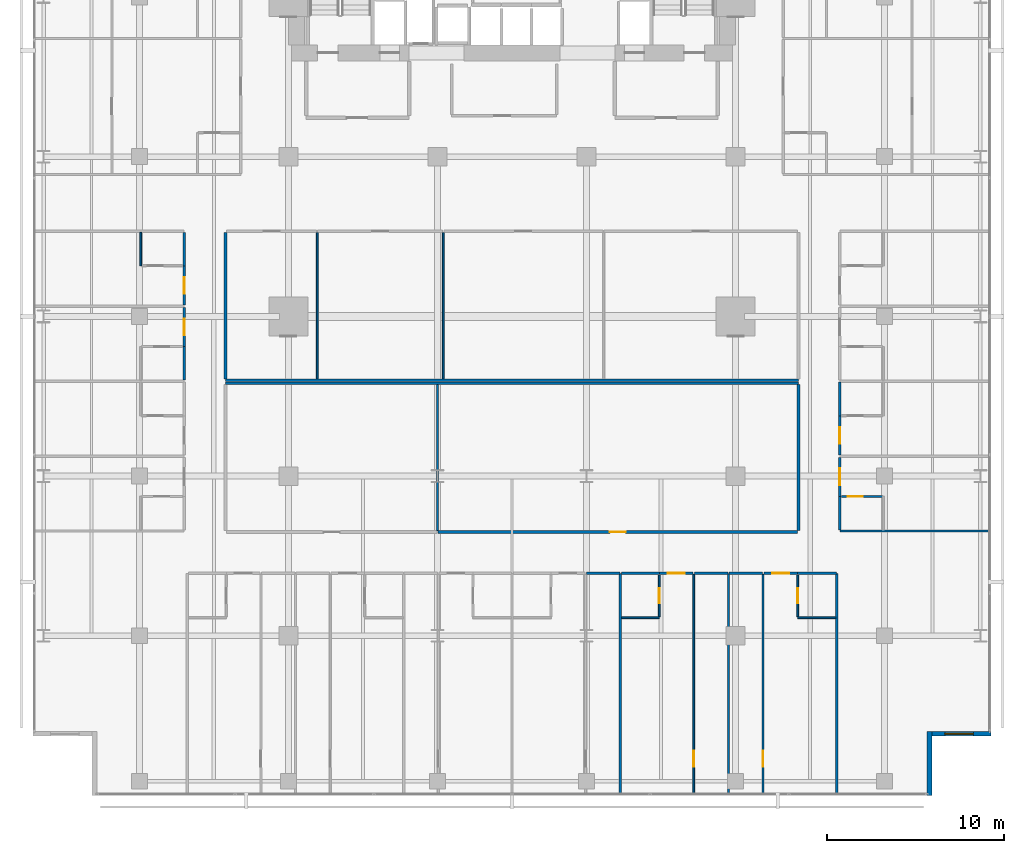
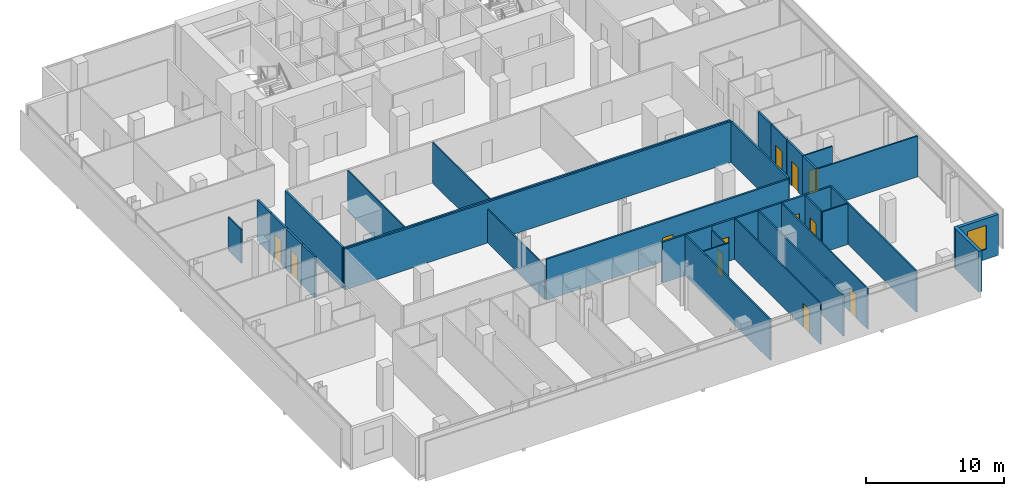
# One storey, part 34 of 40: 37 walls, 12 doors, 1 window, 13 openings.
"""IFC4 building model written with IfcOpenShell, lengths in metres."""

from ifc_helpers import new_model, si_unit, direction, frame, frame_2d, origin, place, context, subcontext, project, spatial, rectangle, extrude, material, layer, layer_set, type_object, element, fill, save


model = new_model("IFC4")

# Units and contexts
model_context = context("Model", 3, precision=1e-05, world=origin(), true_north=direction((0.0, 1.0)))
body_context = subcontext(model_context, "Body", "Model", "MODEL_VIEW")
ifc_project = project(units=[si_unit("LENGTHUNIT", "METRE"), si_unit("AREAUNIT", "SQUARE_METRE"), si_unit("VOLUMEUNIT", "CUBIC_METRE"), si_unit("PLANEANGLEUNIT", "RADIAN"), si_unit("MASSUNIT", "GRAM", prefix="KILO")], contexts=[model_context])

# Site, building, storey
site_placement = place(None, origin())
site = spatial("IfcSite", under=ifc_project, at=site_placement, CompositionType="ELEMENT")
building_placement = place(site_placement, origin())
building = spatial("IfcBuilding", under=site, at=building_placement, Name="Maruvema Waterfront Hotel and Observation Tower", CompositionType="ELEMENT")
storey_placement = place(building_placement, frame((0.0, 0.0, 30.800048828125)))
storey = spatial("IfcBuildingStorey", under=building, at=storey_placement, Name="L06", CompositionType="ELEMENT", Elevation=30.800048828125)

# Walls
ifc_material_1 = material(Name="Twin-stud acoustic gypsum drywall", Category="gypsum")
ifc_layer_1 = layer(ifc_material_1, 0.14990234375, Name="Acoustic Corridor and Suite Demising Wall 150 mm")
ifc_layer_set_1 = layer_set([ifc_layer_1], Name="Twin-stud acoustic gypsum drywall")
wall_type_1 = type_object("IfcWallType", Name="Acoustic Corridor and Suite Demising Wall 150 mm", PredefinedType="PARTITIONING", material=ifc_layer_set_1)
wall_1_placement = place(storey_placement, frame((21.64990234375, 23.39990234375, 0.0), z_axis=(0.0, 0.0, 1.0), x_axis=(1.0, 0.0, 0.0)))
element("IfcWall", 1, at=wall_1_placement, inside=storey, type_object=wall_type_1, Name="L06 L06-INTN Back Wall 016", PredefinedType="PARTITIONING", context=body_context, shape_type="SweptSolid", body=[
    extrude(rectangle(XDim=32.300048828125, YDim=0.14990234375, at=frame_2d((16.14990234375, 0.0))), origin(), (0.0, 0.0, 1.0), 3.60986328125),
])
wall_2_placement = place(storey_placement, frame((21.64990234375, 23.47998046875, 0.0), z_axis=(0.0, 0.0, 1.0), x_axis=(0.0, 1.0, 0.0)))
element("IfcWall", 2, at=wall_2_placement, inside=storey, type_object=wall_type_1, Name="L06 L06-INTN West Wall 017", PredefinedType="PARTITIONING", context=body_context, shape_type="SweptSolid", body=[
    extrude(rectangle(XDim=8.239990234375, YDim=0.14990234375, at=frame_2d((4.1201171875, 0.0))), origin(), (0.0, 0.0, 1.0), 3.60986328125),
])
wall_3_placement = place(storey_placement, frame((21.64990234375, 23.239990234375, 0.0), z_axis=(0.0, 0.0, 1.0), x_axis=(1.0, 0.0, 0.0)))
element("IfcWall", 3, at=wall_3_placement, inside=storey, type_object=wall_type_1, Name="L06 L06-INTS Back Wall 026", PredefinedType="PARTITIONING", context=body_context, shape_type="SweptSolid", body=[
    extrude(rectangle(XDim=32.300048828125, YDim=0.14990234375, at=frame_2d((16.14990234375, 0.0))), origin(), (0.0, 0.0, 1.0), 3.60986328125),
])
wall_4_placement = place(storey_placement, frame((53.949951171875, 14.929931640625, 0.0), z_axis=(0.0, 0.0, 1.0), x_axis=(0.0, 1.0, 0.0)))
element("IfcWall", 4, at=wall_4_placement, inside=storey, type_object=wall_type_1, Name="L06 L06-INTS East Wall 028", PredefinedType="PARTITIONING", context=body_context, shape_type="SweptSolid", body=[
    extrude(rectangle(XDim=8.22998046875, YDim=0.14990234375, at=frame_2d((4.114990234375, 0.0))), origin(), (0.0, 0.0, 1.0), 3.60986328125),
])

# Wall, opening, door
wall_5_placement = place(storey_placement, frame((33.631103515625, 14.85009765625, 0.0), z_axis=(0.0, 0.0, 1.0), x_axis=(1.0, 0.0, 0.0)))
wall_5 = element("IfcWall", 5, at=wall_5_placement, inside=storey, type_object=wall_type_1, Name="L06 L06-INTS Front 2 031", PredefinedType="PARTITIONING", context=body_context, shape_type="SweptSolid", body=[
    extrude(rectangle(XDim=20.2587890625, YDim=0.14990234375, at=frame_2d((10.12939453125, 0.0))), origin(), (0.0, 0.0, 1.0), 3.60986328125),
])
opening_1_placement = place(wall_5_placement, frame((9.679443359375, 0.0, 0.0)))
opening_1 = element("IfcOpeningElement", 6, at=opening_1_placement, cuts=wall_5, Name="Opening DR-090", PredefinedType="OPENING", context=body_context, shape_type="SweptSolid", body=[
    extrude(rectangle(XDim=0.89990234375, YDim=2.10009765625, at=frame_2d((0.449951171875, 1.050048828125))), frame((0.0, 0.0849609375, 0.0), z_axis=(0.0, -1.0, 0.0), x_axis=(1.0, 0.0, 0.0)), (0.0, 0.0, 1.0), 0.169921875),
])
ifc_material_2 = material(Name="Solid-core lacquered timber leaf", Category="wood")
door_type_1 = type_object("IfcDoorType", Name="Accessible Toilet and Room Door 900x2100 mm", OperationType="NOTDEFINED", PredefinedType="DOOR", material=ifc_material_2)
door_1_placement = place(opening_1_placement, frame((0.89990234375, 0.0, 0.0), z_axis=(0.0, 0.0, 1.0), x_axis=(-1.0, 0.0, 0.0)))
door_1 = element("IfcDoor", 7, at=door_1_placement, inside=storey, type_object=door_type_1, Name="L06 Guest Lounge East Door", OperationType="SINGLE_SWING_RIGHT", OverallHeight=2.10009765625, OverallWidth=0.89990234375, PredefinedType="DOOR", context=body_context, shape_type="SweptSolid", body=[
    extrude(rectangle(XDim=0.89990234375, YDim=2.10009765625, at=frame_2d((0.449951171875, 1.050048828125))), frame((0.0, 0.02490234375, 0.0), z_axis=(0.0, -1.0, 0.0), x_axis=(1.0, 0.0, 0.0)), (0.0, 0.0, 1.0), 0.050048828125),
])
fill(opening_1, door_1)

# Walls
wall_6_placement = place(storey_placement, frame((41.989990234375, 12.52001953125, 0.0), z_axis=(0.0, 0.0, 1.0), x_axis=(1.0, 0.0, 0.0)))
element("IfcWall", 8, at=wall_6_placement, inside=storey, type_object=wall_type_1, Name="L06 Bedroom L06-S4 Back Wall 059", PredefinedType="PARTITIONING", context=body_context, shape_type="SweptSolid", body=[
    extrude(rectangle(XDim=1.889892578125, YDim=0.14990234375, at=frame_2d((0.94482421875, 0.0))), origin(), (0.0, 0.0, 1.0), 3.60986328125),
])
wall_7_placement = place(storey_placement, frame((43.97998046875, 12.52001953125, 0.0), z_axis=(0.0, 0.0, 1.0), x_axis=(1.0, 0.0, 0.0)))
element("IfcWall", 9, at=wall_7_placement, inside=storey, type_object=wall_type_1, Name="L06 Bath L06-S5 Back Wall 062", PredefinedType="PARTITIONING", context=body_context, shape_type="SweptSolid", body=[
    extrude(rectangle(XDim=2.1201171875, YDim=0.14990234375, at=frame_2d((1.06005859375, 0.0))), origin(), (0.0, 0.0, 1.0), 3.60986328125),
])

# Wall, opening, door
wall_8_placement = place(storey_placement, frame((46.10009765625, 12.52001953125, 0.0), z_axis=(0.0, 0.0, 1.0), x_axis=(1.0, 0.0, 0.0)))
wall_8 = element("IfcWall", 10, at=wall_8_placement, inside=storey, type_object=wall_type_1, Name="L06 Unit L06-S5 Corridor Wall 065", PredefinedType="PARTITIONING", context=body_context, shape_type="SweptSolid", body=[
    extrude(rectangle(XDim=1.909912109375, YDim=0.14990234375, at=frame_2d((0.955078125, 0.0))), origin(), (0.0, 0.0, 1.0), 3.60986328125),
])
opening_2_placement = place(wall_8_placement, frame((0.47998046875, 0.0, 0.0)))
opening_2 = element("IfcOpeningElement", 11, at=opening_2_placement, cuts=wall_8, Name="Opening DR-095", PredefinedType="OPENING", context=body_context, shape_type="SweptSolid", body=[
    extrude(rectangle(XDim=0.949951171875, YDim=2.14990234375, at=frame_2d((0.47509765625, 1.074951171875))), frame((0.0, 0.0849609375, 0.0), z_axis=(0.0, -1.0, 0.0), x_axis=(1.0, 0.0, 0.0)), (0.0, 0.0, 1.0), 0.169921875),
])
ifc_material_3 = material(Name="Acoustic solid-core hardwood timber leaf", Category="wood")
door_type_2 = type_object("IfcDoorType", Name="Guestroom Entrance Fire Door 950x2150 mm", OperationType="NOTDEFINED", PredefinedType="DOOR", material=ifc_material_3)
door_2_placement = place(opening_2_placement, frame((0.949951171875, 0.0, 0.0), z_axis=(0.0, 0.0, 1.0), x_axis=(-1.0, 0.0, 0.0)))
door_2 = element("IfcDoor", 12, at=door_2_placement, inside=storey, type_object=door_type_2, Name="L06 Unit L06-S5 Entrance Door", OperationType="SINGLE_SWING_RIGHT", OverallHeight=2.14990234375, OverallWidth=0.949951171875, PredefinedType="DOOR", context=body_context, shape_type="SweptSolid", body=[
    extrude(rectangle(XDim=0.949951171875, YDim=2.14990234375, at=frame_2d((0.47509765625, 1.074951171875))), frame((0.0, 0.02490234375, 0.0), z_axis=(0.0, -1.0, 0.0), x_axis=(1.0, 0.0, 0.0)), (0.0, 0.0, 1.0), 0.050048828125),
])
fill(opening_2, door_2)

# Walls
wall_9_placement = place(storey_placement, frame((48.090087890625, 12.52001953125, 0.0), z_axis=(0.0, 0.0, 1.0), x_axis=(1.0, 0.0, 0.0)))
element("IfcWall", 13, at=wall_9_placement, inside=storey, type_object=wall_type_1, Name="L06 Bedroom L06-S5 Back Wall 066", PredefinedType="PARTITIONING", context=body_context, shape_type="SweptSolid", body=[
    extrude(rectangle(XDim=1.889892578125, YDim=0.14990234375, at=frame_2d((0.94482421875, 0.0))), origin(), (0.0, 0.0, 1.0), 3.60986328125),
])
wall_10_placement = place(storey_placement, frame((53.89990234375, 12.52001953125, 0.0), z_axis=(0.0, 0.0, 1.0), x_axis=(1.0, 0.0, 0.0)))
element("IfcWall", 14, at=wall_10_placement, inside=storey, type_object=wall_type_1, Name="L06 Bath L06-S6 Back Wall 069", PredefinedType="PARTITIONING", context=body_context, shape_type="SweptSolid", body=[
    extrude(rectangle(XDim=2.18017578125, YDim=0.14990234375, at=frame_2d((1.090087890625, 0.0))), origin(), (0.0, 0.0, 1.0), 3.60986328125),
])
wall_11_placement = place(storey_placement, frame((50.02001953125, 12.52001953125, 0.0), z_axis=(0.0, 0.0, 1.0), x_axis=(1.0, 0.0, 0.0)))
element("IfcWall", 15, at=wall_11_placement, inside=storey, type_object=wall_type_1, Name="L06 Bedroom L06-S6 Back Wall 072", PredefinedType="PARTITIONING", context=body_context, shape_type="SweptSolid", body=[
    extrude(rectangle(XDim=1.889892578125, YDim=0.14990234375, at=frame_2d((0.94482421875, 0.0))), origin(), (0.0, 0.0, 1.0), 3.60986328125),
])

# Wall, opening, door
wall_12_placement = place(storey_placement, frame((51.989990234375, 12.52001953125, 0.0), z_axis=(0.0, 0.0, 1.0), x_axis=(1.0, 0.0, 0.0)))
wall_12 = element("IfcWall", 16, at=wall_12_placement, inside=storey, type_object=wall_type_1, Name="L06 Unit L06-S6 Corridor Wall 073", PredefinedType="PARTITIONING", context=body_context, shape_type="SweptSolid", body=[
    extrude(rectangle(XDim=1.909912109375, YDim=0.14990234375, at=frame_2d((0.955078125, 0.0))), origin(), (0.0, 0.0, 1.0), 3.60986328125),
])
opening_3_placement = place(wall_12_placement, frame((0.47998046875, 0.0, 0.0)))
opening_3 = element("IfcOpeningElement", 17, at=opening_3_placement, cuts=wall_12, Name="Opening DR-095", PredefinedType="OPENING", context=body_context, shape_type="SweptSolid", body=[
    extrude(rectangle(XDim=0.949951171875, YDim=2.14990234375, at=frame_2d((0.47509765625, 1.074951171875))), frame((0.0, 0.0849609375, 0.0), z_axis=(0.0, -1.0, 0.0), x_axis=(1.0, 0.0, 0.0)), (0.0, 0.0, 1.0), 0.169921875),
])
door_3_placement = place(opening_3_placement, frame((0.949951171875, 0.0, 0.0), z_axis=(0.0, 0.0, 1.0), x_axis=(-1.0, 0.0, 0.0)))
door_3 = element("IfcDoor", 18, at=door_3_placement, inside=storey, type_object=door_type_2, Name="L06 Unit L06-S6 Entrance Door", OperationType="SINGLE_SWING_LEFT", OverallHeight=2.14990234375, OverallWidth=0.949951171875, PredefinedType="DOOR", context=body_context, shape_type="SweptSolid", body=[
    extrude(rectangle(XDim=0.949951171875, YDim=2.14990234375, at=frame_2d((0.47509765625, 1.074951171875))), frame((0.0, 0.02490234375, 0.0), z_axis=(0.0, -1.0, 0.0), x_axis=(1.0, 0.0, 0.0)), (0.0, 0.0, 1.0), 0.050048828125),
])
fill(opening_3, door_3)

# Wall
wall_13_placement = place(storey_placement, frame((56.280029296875, 14.9599609375, 0.0), z_axis=(0.0, 0.0, 1.0), x_axis=(0.0, 1.0, 0.0)))
element("IfcWall", 19, at=wall_13_placement, inside=storey, type_object=wall_type_1, Name="L06 Bath L06-E1 Wall 083", PredefinedType="PARTITIONING", context=body_context, shape_type="SweptSolid", body=[
    extrude(rectangle(XDim=1.89013671875, YDim=0.14990234375, at=frame_2d((0.945068359375, 0.0))), origin(), (0.0, 0.0, 1.0), 3.60986328125),
])

# Wall, opening, door
wall_14_placement = place(storey_placement, frame((56.280029296875, 16.85009765625, 0.0), z_axis=(0.0, 0.0, 1.0), x_axis=(0.0, 1.0, 0.0)))
wall_14 = element("IfcWall", 20, at=wall_14_placement, inside=storey, type_object=wall_type_1, Name="L06 Room L06-E1 Corridor Wall 084", PredefinedType="PARTITIONING", context=body_context, shape_type="SweptSolid", body=[
    extrude(rectangle(XDim=2.2099609375, YDim=0.14990234375, at=frame_2d((1.10498046875, 0.0))), origin(), (0.0, 0.0, 1.0), 3.60986328125),
])
opening_4_placement = place(wall_14_placement, frame((0.6298828125, 0.0, 0.0)))
opening_4 = element("IfcOpeningElement", 21, at=opening_4_placement, cuts=wall_14, Name="Opening DR-095", PredefinedType="OPENING", context=body_context, shape_type="SweptSolid", body=[
    extrude(rectangle(XDim=0.949951171875, YDim=2.14990234375, at=frame_2d((0.47509765625, 1.074951171875))), frame((0.0, 0.0849609375, 0.0), z_axis=(0.0, -1.0, 0.0), x_axis=(1.0, 0.0, 0.0)), (0.0, 0.0, 1.0), 0.169921875),
])
door_4_placement = place(opening_4_placement, frame((0.949951171875, 0.0, 0.0), z_axis=(0.0, 0.0, 1.0), x_axis=(-1.0, 0.0, 0.0)))
door_4 = element("IfcDoor", 22, at=door_4_placement, inside=storey, type_object=door_type_2, Name="L06 Room L06-E1 Entrance Door", OperationType="SINGLE_SWING_RIGHT", OverallHeight=2.14990234375, OverallWidth=0.949951171875, PredefinedType="DOOR", context=body_context, shape_type="SweptSolid", body=[
    extrude(rectangle(XDim=0.949951171875, YDim=2.14990234375, at=frame_2d((0.47509765625, 1.074951171875))), frame((0.0, 0.02490234375, 0.0), z_axis=(0.0, -1.0, 0.0), x_axis=(1.0, 0.0, 0.0)), (0.0, 0.0, 1.0), 0.050048828125),
])
fill(opening_4, door_4)

wall_15_placement = place(storey_placement, frame((56.280029296875, 19.179931640625, 0.0), z_axis=(0.0, 0.0, 1.0), x_axis=(0.0, 1.0, 0.0)))
wall_15 = element("IfcWall", 23, at=wall_15_placement, inside=storey, type_object=wall_type_1, Name="L06 Room L06-E2 Corridor Wall 093", PredefinedType="PARTITIONING", context=body_context, shape_type="SweptSolid", body=[
    extrude(rectangle(XDim=2.219970703125, YDim=0.14990234375, at=frame_2d((1.10986328125, 0.0))), origin(), (0.0, 0.0, 1.0), 3.60986328125),
])
opening_5_placement = place(wall_15_placement, frame((0.635009765625, 0.0, 0.0)))
opening_5 = element("IfcOpeningElement", 24, at=opening_5_placement, cuts=wall_15, Name="Opening DR-095", PredefinedType="OPENING", context=body_context, shape_type="SweptSolid", body=[
    extrude(rectangle(XDim=0.949951171875, YDim=2.14990234375, at=frame_2d((0.47509765625, 1.074951171875))), frame((0.0, 0.0849609375, 0.0), z_axis=(0.0, -1.0, 0.0), x_axis=(1.0, 0.0, 0.0)), (0.0, 0.0, 1.0), 0.169921875),
])
door_5_placement = place(opening_5_placement, frame((0.949951171875, 0.0, 0.0), z_axis=(0.0, 0.0, 1.0), x_axis=(-1.0, 0.0, 0.0)))
door_5 = element("IfcDoor", 25, at=door_5_placement, inside=storey, type_object=door_type_2, Name="L06 Room L06-E2 Entrance Door", OperationType="SINGLE_SWING_RIGHT", OverallHeight=2.14990234375, OverallWidth=0.949951171875, PredefinedType="DOOR", context=body_context, shape_type="SweptSolid", body=[
    extrude(rectangle(XDim=0.949951171875, YDim=2.14990234375, at=frame_2d((0.47509765625, 1.074951171875))), frame((0.0, 0.02490234375, 0.0), z_axis=(0.0, -1.0, 0.0), x_axis=(1.0, 0.0, 0.0)), (0.0, 0.0, 1.0), 0.050048828125),
])
fill(opening_5, door_5)

# Walls
for number, where, z_axis, x_axis, name in (
    (26, (56.280029296875, 21.39990234375, 0.0), (0.0, 0.0, 1.0), (0.0, 1.0, 0.0), "L06 Bath L06-E2 Wall 094"),
    (27, (19.320068359375, 23.409912109375, 0.0), (0.0, 0.0, 1.0), (0.0, 1.0, 0.0), "L06 Bath L06-W3 Wall 099"),
):
    element("IfcWall", number, at=place(storey_placement, frame(where, z_axis=z_axis, x_axis=x_axis)), inside=storey, type_object=wall_type_1, Name=name, PredefinedType="PARTITIONING", context=body_context, shape_type="SweptSolid", body=[
        extrude(rectangle(XDim=1.89013671875, YDim=0.14990234375, at=frame_2d((0.945068359375, 0.0))), origin(), (0.0, 0.0, 1.0), 3.60986328125),
    ])

# Wall, opening, door
wall_16_placement = place(storey_placement, frame((19.320068359375, 25.300048828125, 0.0), z_axis=(0.0, 0.0, 1.0), x_axis=(0.0, 1.0, 0.0)))
wall_16 = element("IfcWall", 28, at=wall_16_placement, inside=storey, type_object=wall_type_1, Name="L06 Room L06-W3 Corridor Wall 100", PredefinedType="PARTITIONING", context=body_context, shape_type="SweptSolid", body=[
    extrude(rectangle(XDim=2.2099609375, YDim=0.14990234375, at=frame_2d((1.10498046875, 0.0))), origin(), (0.0, 0.0, 1.0), 3.60986328125),
])
opening_6_placement = place(wall_16_placement, frame((0.6298828125, 0.0, 0.0)))
opening_6 = element("IfcOpeningElement", 29, at=opening_6_placement, cuts=wall_16, Name="Opening DR-095", PredefinedType="OPENING", context=body_context, shape_type="SweptSolid", body=[
    extrude(rectangle(XDim=0.949951171875, YDim=2.14990234375, at=frame_2d((0.47509765625, 1.074951171875))), frame((0.0, 0.0849609375, 0.0), z_axis=(0.0, -1.0, 0.0), x_axis=(1.0, 0.0, 0.0)), (0.0, 0.0, 1.0), 0.169921875),
])
door_6_placement = place(opening_6_placement, origin())
door_6 = element("IfcDoor", 30, at=door_6_placement, inside=storey, type_object=door_type_2, Name="L06 Room L06-W3 Entrance Door", OperationType="SINGLE_SWING_RIGHT", OverallHeight=2.14990234375, OverallWidth=0.949951171875, PredefinedType="DOOR", context=body_context, shape_type="SweptSolid", body=[
    extrude(rectangle(XDim=0.949951171875, YDim=2.14990234375, at=frame_2d((0.47509765625, 1.074951171875))), frame((0.0, 0.02490234375, 0.0), z_axis=(0.0, -1.0, 0.0), x_axis=(1.0, 0.0, 0.0)), (0.0, 0.0, 1.0), 0.050048828125),
])
fill(opening_6, door_6)

wall_17_placement = place(storey_placement, frame((19.320068359375, 27.6298828125, 0.0), z_axis=(0.0, 0.0, 1.0), x_axis=(0.0, 1.0, 0.0)))
wall_17 = element("IfcWall", 31, at=wall_17_placement, inside=storey, type_object=wall_type_1, Name="L06 Room L06-W4 Corridor Wall 109", PredefinedType="PARTITIONING", context=body_context, shape_type="SweptSolid", body=[
    extrude(rectangle(XDim=2.22021484375, YDim=0.14990234375, at=frame_2d((1.110107421875, 0.0))), origin(), (0.0, 0.0, 1.0), 3.60986328125),
])
opening_7_placement = place(wall_17_placement, frame((0.635009765625, 0.0, 0.0)))
opening_7 = element("IfcOpeningElement", 32, at=opening_7_placement, cuts=wall_17, Name="Opening DR-095", PredefinedType="OPENING", context=body_context, shape_type="SweptSolid", body=[
    extrude(rectangle(XDim=0.949951171875, YDim=2.14990234375, at=frame_2d((0.47509765625, 1.074951171875))), frame((0.0, 0.0849609375, 0.0), z_axis=(0.0, -1.0, 0.0), x_axis=(1.0, 0.0, 0.0)), (0.0, 0.0, 1.0), 0.169921875),
])
door_7_placement = place(opening_7_placement, origin())
door_7 = element("IfcDoor", 33, at=door_7_placement, inside=storey, type_object=door_type_2, Name="L06 Room L06-W4 Entrance Door", OperationType="SINGLE_SWING_RIGHT", OverallHeight=2.14990234375, OverallWidth=0.949951171875, PredefinedType="DOOR", context=body_context, shape_type="SweptSolid", body=[
    extrude(rectangle(XDim=0.949951171875, YDim=2.14990234375, at=frame_2d((0.47509765625, 1.074951171875))), frame((0.0, 0.02490234375, 0.0), z_axis=(0.0, -1.0, 0.0), x_axis=(1.0, 0.0, 0.0)), (0.0, 0.0, 1.0), 0.050048828125),
])
fill(opening_7, door_7)

# Walls
wall_18_placement = place(storey_placement, frame((19.320068359375, 29.85009765625, 0.0), z_axis=(0.0, 0.0, 1.0), x_axis=(0.0, 1.0, 0.0)))
element("IfcWall", 34, at=wall_18_placement, inside=storey, type_object=wall_type_1, Name="L06 Bath L06-W4 Wall 110", PredefinedType="PARTITIONING", context=body_context, shape_type="SweptSolid", body=[
    extrude(rectangle(XDim=1.889892578125, YDim=0.14990234375, at=frame_2d((0.94482421875, 0.0))), origin(), (0.0, 0.0, 1.0), 3.60986328125),
])
ifc_material_4 = material(Name="Moisture-resistant cement-board drywall", Category="gypsum")
ifc_layer_2 = layer(ifc_material_4, 0.10009765625, Name="En-Suite Moisture-Resistant Partition 100 mm")
ifc_layer_set_2 = layer_set([ifc_layer_2], Name="Moisture-resistant cement-board drywall")
wall_type_2 = type_object("IfcWallType", Name="En-Suite Moisture-Resistant Partition 100 mm", PredefinedType="PARTITIONING", material=ifc_layer_set_2)
for number, where, z_axis, x_axis, name in (
    (35, (26.818115234375, 23.47998046875, 0.0), (0.0, 0.0, 1.0), (0.0, 1.0, 0.0), "L06 L06-INTN Split 1 020"),
    (36, (33.924072265625, 23.47998046875, 0.0), (0.0, 0.0, 1.0), (0.0, 1.0, 0.0), "L06 L06-INTN Split 2 022"),
):
    element("IfcWall", number, at=place(storey_placement, frame(where, z_axis=z_axis, x_axis=x_axis)), inside=storey, type_object=wall_type_2, Name=name, PredefinedType="PARTITIONING", context=body_context, shape_type="SweptSolid", body=[
        extrude(rectangle(XDim=8.239990234375, YDim=0.10009765625, at=frame_2d((4.1201171875, 0.0))), origin(), (0.0, 0.0, 1.0), 3.60986328125),
    ])
wall_19_placement = place(storey_placement, frame((33.60107421875, 14.929931640625, 0.0), z_axis=(0.0, 0.0, 1.0), x_axis=(0.0, 1.0, 0.0)))
element("IfcWall", 37, at=wall_19_placement, inside=storey, type_object=wall_type_2, Name="L06 L06-INTS Split 1 030", PredefinedType="PARTITIONING", context=body_context, shape_type="SweptSolid", body=[
    extrude(rectangle(XDim=8.22998046875, YDim=0.10009765625, at=frame_2d((4.114990234375, 0.0))), origin(), (0.0, 0.0, 1.0), 2.974853515625),
])
wall_20_placement = place(storey_placement, frame((43.97998046875, 10.02001953125, 0.0), z_axis=(0.0, 0.0, 1.0), x_axis=(1.0, 0.0, 0.0)))
element("IfcWall", 38, at=wall_20_placement, inside=storey, type_object=wall_type_2, Name="L06 En-Suite L06-S5 South 063", PredefinedType="PARTITIONING", context=body_context, shape_type="SweptSolid", body=[
    extrude(rectangle(XDim=2.1201171875, YDim=0.10009765625, at=frame_2d((1.06005859375, 0.0))), origin(), (0.0, 0.0, 1.0), 3.60986328125),
])

# Wall, opening, door
wall_21_placement = place(storey_placement, frame((46.10009765625, 10.080078125, 0.0), z_axis=(0.0, 0.0, 1.0), x_axis=(0.0, 1.0, 0.0)))
wall_21 = element("IfcWall", 39, at=wall_21_placement, inside=storey, type_object=wall_type_2, Name="L06 En-Suite L06-S5 East 064", PredefinedType="PARTITIONING", context=body_context, shape_type="SweptSolid", body=[
    extrude(rectangle(XDim=2.33984375, YDim=0.10009765625, at=frame_2d((1.169921875, 0.0))), origin(), (0.0, 0.0, 1.0), 3.2548828125),
])
opening_8_placement = place(wall_21_placement, frame((0.7451171875, 0.0, 0.0)))
opening_8 = element("IfcOpeningElement", 40, at=opening_8_placement, cuts=wall_21, Name="Opening DR-085", PredefinedType="OPENING", context=body_context, shape_type="SweptSolid", body=[
    extrude(rectangle(XDim=0.85009765625, YDim=2.10009765625, at=frame_2d((0.425048828125, 1.050048828125))), frame((0.0, 0.06005859375, 0.0), z_axis=(0.0, -1.0, 0.0), x_axis=(1.0, 0.0, 0.0)), (0.0, 0.0, 1.0), 0.1201171875),
])
ifc_material_5 = material(Name="Moisture-resistant solid timber leaf", Category="wood")
door_type_3 = type_object("IfcDoorType", Name="En-Suite Bathroom Door 850x2100 mm", OperationType="NOTDEFINED", PredefinedType="DOOR", material=ifc_material_5)
door_8_placement = place(opening_8_placement, frame((0.85009765625, 0.0, 0.0), z_axis=(0.0, 0.0, 1.0), x_axis=(-1.0, 0.0, 0.0)))
door_8 = element("IfcDoor", 41, at=door_8_placement, inside=storey, type_object=door_type_3, Name="L06 En-Suite L06-S5 Door", OperationType="SINGLE_SWING_LEFT", OverallHeight=2.10009765625, OverallWidth=0.85009765625, PredefinedType="DOOR", context=body_context, shape_type="SweptSolid", body=[
    extrude(rectangle(XDim=0.85009765625, YDim=2.10009765625, at=frame_2d((0.425048828125, 1.050048828125))), frame((0.0, 0.02490234375, 0.0), z_axis=(0.0, -1.0, 0.0), x_axis=(1.0, 0.0, 0.0)), (0.0, 0.0, 1.0), 0.050048828125),
])
fill(opening_8, door_8)

wall_22_placement = place(storey_placement, frame((48.050048828125, 0.030029296875, 0.0), z_axis=(0.0, 0.0, 1.0), x_axis=(0.0, 1.0, 0.0)))
wall_22 = element("IfcWall", 42, at=wall_22_placement, inside=storey, type_object=wall_type_2, Name="L06 Suite L06-S5 Split 067", PredefinedType="PARTITIONING", context=body_context, shape_type="SweptSolid", body=[
    extrude(rectangle(XDim=12.429931640625, YDim=0.10009765625, at=frame_2d((6.21484375, 0.0))), origin(), (0.0, 0.0, 1.0), 3.60986328125),
])
opening_9_placement = place(wall_22_placement, frame((1.60009765625, 0.0, 0.0)))
opening_9 = element("IfcOpeningElement", 43, at=opening_9_placement, cuts=wall_22, Name="Opening DR-090", PredefinedType="OPENING", context=body_context, shape_type="SweptSolid", body=[
    extrude(rectangle(XDim=0.89990234375, YDim=2.10009765625, at=frame_2d((0.449951171875, 1.050048828125))), frame((0.0, 0.06005859375, 0.0), z_axis=(0.0, -1.0, 0.0), x_axis=(1.0, 0.0, 0.0)), (0.0, 0.0, 1.0), 0.1201171875),
])
door_9_placement = place(opening_9_placement, origin())
door_9 = element("IfcDoor", 44, at=door_9_placement, inside=storey, type_object=door_type_1, Name="L06 Suite L06-S5 Bedroom Door", OperationType="SINGLE_SWING_LEFT", OverallHeight=2.10009765625, OverallWidth=0.89990234375, PredefinedType="DOOR", context=body_context, shape_type="SweptSolid", body=[
    extrude(rectangle(XDim=0.89990234375, YDim=2.10009765625, at=frame_2d((0.449951171875, 1.050048828125))), frame((0.0, 0.02490234375, 0.0), z_axis=(0.0, -1.0, 0.0), x_axis=(1.0, 0.0, 0.0)), (0.0, 0.0, 1.0), 0.050048828125),
])
fill(opening_9, door_9)

# Wall
wall_23_placement = place(storey_placement, frame((53.89990234375, 10.02001953125, 0.0), z_axis=(0.0, 0.0, 1.0), x_axis=(1.0, 0.0, 0.0)))
element("IfcWall", 45, at=wall_23_placement, inside=storey, type_object=wall_type_2, Name="L06 En-Suite L06-S6 South 070", PredefinedType="PARTITIONING", context=body_context, shape_type="SweptSolid", body=[
    extrude(rectangle(XDim=2.16015625, YDim=0.10009765625, at=frame_2d((1.080078125, 0.0))), origin(), (0.0, 0.0, 1.0), 3.60986328125),
])

# Wall, opening, door
wall_24_placement = place(storey_placement, frame((53.89990234375, 10.080078125, 0.0), z_axis=(0.0, 0.0, 1.0), x_axis=(0.0, 1.0, 0.0)))
wall_24 = element("IfcWall", 46, at=wall_24_placement, inside=storey, type_object=wall_type_2, Name="L06 En-Suite L06-S6 West 071", PredefinedType="PARTITIONING", context=body_context, shape_type="SweptSolid", body=[
    extrude(rectangle(XDim=2.33984375, YDim=0.10009765625, at=frame_2d((1.169921875, 0.0))), origin(), (0.0, 0.0, 1.0), 3.60986328125),
])
opening_10_placement = place(wall_24_placement, frame((0.7451171875, 0.0, 0.0)))
opening_10 = element("IfcOpeningElement", 47, at=opening_10_placement, cuts=wall_24, Name="Opening DR-085", PredefinedType="OPENING", context=body_context, shape_type="SweptSolid", body=[
    extrude(rectangle(XDim=0.85009765625, YDim=2.10009765625, at=frame_2d((0.425048828125, 1.050048828125))), frame((0.0, 0.06005859375, 0.0), z_axis=(0.0, -1.0, 0.0), x_axis=(1.0, 0.0, 0.0)), (0.0, 0.0, 1.0), 0.1201171875),
])
door_10_placement = place(opening_10_placement, origin())
door_10 = element("IfcDoor", 48, at=door_10_placement, inside=storey, type_object=door_type_3, Name="L06 En-Suite L06-S6 Door", OperationType="SINGLE_SWING_RIGHT", OverallHeight=2.10009765625, OverallWidth=0.85009765625, PredefinedType="DOOR", context=body_context, shape_type="SweptSolid", body=[
    extrude(rectangle(XDim=0.85009765625, YDim=2.10009765625, at=frame_2d((0.425048828125, 1.050048828125))), frame((0.0, 0.02490234375, 0.0), z_axis=(0.0, -1.0, 0.0), x_axis=(1.0, 0.0, 0.0)), (0.0, 0.0, 1.0), 0.050048828125),
])
fill(opening_10, door_10)

wall_25_placement = place(storey_placement, frame((51.949951171875, 0.030029296875, 0.0), z_axis=(0.0, 0.0, 1.0), x_axis=(0.0, 1.0, 0.0)))
wall_25 = element("IfcWall", 49, at=wall_25_placement, inside=storey, type_object=wall_type_2, Name="L06 Suite L06-S6 Split 074", PredefinedType="PARTITIONING", context=body_context, shape_type="SweptSolid", body=[
    extrude(rectangle(XDim=12.429931640625, YDim=0.10009765625, at=frame_2d((6.21484375, 0.0))), origin(), (0.0, 0.0, 1.0), 3.60986328125),
])
opening_11_placement = place(wall_25_placement, frame((1.60009765625, 0.0, 0.0)))
opening_11 = element("IfcOpeningElement", 50, at=opening_11_placement, cuts=wall_25, Name="Opening DR-090", PredefinedType="OPENING", context=body_context, shape_type="SweptSolid", body=[
    extrude(rectangle(XDim=0.89990234375, YDim=2.10009765625, at=frame_2d((0.449951171875, 1.050048828125))), frame((0.0, 0.06005859375, 0.0), z_axis=(0.0, -1.0, 0.0), x_axis=(1.0, 0.0, 0.0)), (0.0, 0.0, 1.0), 0.1201171875),
])
door_11_placement = place(opening_11_placement, frame((0.89990234375, 0.0, 0.0), z_axis=(0.0, 0.0, 1.0), x_axis=(-1.0, 0.0, 0.0)))
door_11 = element("IfcDoor", 51, at=door_11_placement, inside=storey, type_object=door_type_1, Name="L06 Suite L06-S6 Bedroom Door", OperationType="SINGLE_SWING_RIGHT", OverallHeight=2.10009765625, OverallWidth=0.89990234375, PredefinedType="DOOR", context=body_context, shape_type="SweptSolid", body=[
    extrude(rectangle(XDim=0.89990234375, YDim=2.10009765625, at=frame_2d((0.449951171875, 1.050048828125))), frame((0.0, 0.02490234375, 0.0), z_axis=(0.0, -1.0, 0.0), x_axis=(1.0, 0.0, 0.0)), (0.0, 0.0, 1.0), 0.050048828125),
])
fill(opening_11, door_11)

wall_26_placement = place(storey_placement, frame((56.3798828125, 16.85009765625, 0.0), z_axis=(0.0, 0.0, 1.0), x_axis=(1.0, 0.0, 0.0)))
wall_26 = element("IfcWall", 52, at=wall_26_placement, inside=storey, type_object=wall_type_2, Name="L06 En-Suite L06-E1 N 086", PredefinedType="PARTITIONING", context=body_context, shape_type="SweptSolid", body=[
    extrude(rectangle(XDim=2.300048828125, YDim=0.10009765625, at=frame_2d((1.14990234375, 0.0))), origin(), (0.0, 0.0, 1.0), 3.60986328125),
])
opening_12_placement = place(wall_26_placement, frame((0.35009765625, 0.0, 0.0)))
opening_12 = element("IfcOpeningElement", 53, at=opening_12_placement, cuts=wall_26, Name="Opening DR-085", PredefinedType="OPENING", context=body_context, shape_type="SweptSolid", body=[
    extrude(rectangle(XDim=0.85009765625, YDim=2.10009765625, at=frame_2d((0.425048828125, 1.050048828125))), frame((0.0, 0.06005859375, 0.0), z_axis=(0.0, -1.0, 0.0), x_axis=(1.0, 0.0, 0.0)), (0.0, 0.0, 1.0), 0.1201171875),
])
door_12_placement = place(opening_12_placement, origin())
door_12 = element("IfcDoor", 54, at=door_12_placement, inside=storey, type_object=door_type_3, Name="L06 En-Suite L06-E1 Door", OperationType="SINGLE_SWING_LEFT", OverallHeight=2.10009765625, OverallWidth=0.85009765625, PredefinedType="DOOR", context=body_context, shape_type="SweptSolid", body=[
    extrude(rectangle(XDim=0.85009765625, YDim=2.10009765625, at=frame_2d((0.425048828125, 1.050048828125))), frame((0.0, 0.02490234375, 0.0), z_axis=(0.0, -1.0, 0.0), x_axis=(1.0, 0.0, 0.0)), (0.0, 0.0, 1.0), 0.050048828125),
])
fill(opening_12, door_12)

# Walls
wall_27_placement = place(storey_placement, frame((16.8701171875, 29.85009765625, 0.0), z_axis=(0.0, 0.0, 1.0), x_axis=(0.0, 1.0, 0.0)))
element("IfcWall", 55, at=wall_27_placement, inside=storey, type_object=wall_type_2, Name="L06 En-Suite L06-W4 W 111", PredefinedType="PARTITIONING", context=body_context, shape_type="SweptSolid", body=[
    extrude(rectangle(XDim=1.889892578125, YDim=0.10009765625, at=frame_2d((0.94482421875, 0.0))), origin(), (0.0, 0.0, 1.0), 2.974853515625),
])
ifc_material_6 = material(Name="Precast concrete C45/55 with honed Pernambuco granite facing", Category="masonry")
ifc_layer_3 = layer(ifc_material_6, 0.260009765625, Name="Exterior Granite Clad Spandrel and Pier Wall 260 mm")
ifc_layer_set_3 = layer_set([ifc_layer_3], Name="Precast concrete C45/55 with honed Pernambuco granite facing")
wall_type_3 = type_object("IfcWallType", Name="Exterior Granite Clad Spandrel and Pier Wall 260 mm", PredefinedType="SOLIDWALL", material=ifc_layer_set_3)
wall_28_placement = place(storey_placement, frame((61.330078125, 3.60009765625, 0.0), z_axis=(0.0, 0.0, 1.0), x_axis=(0.0, -1.0, 0.0)))
element("IfcWall", 56, at=wall_28_placement, inside=storey, type_object=wall_type_3, Name="L06 Corner Notch Granite Pier Wall SE1", PredefinedType="SOLIDWALL", context=body_context, shape_type="SweptSolid", body=[
    extrude(rectangle(XDim=3.60009765625, YDim=0.260009765625, at=frame_2d((1.800048828125, 0.0))), origin(), (0.0, 0.0, 1.0), 3.60986328125),
])

# Wall, opening, window
wall_29_placement = place(storey_placement, frame((64.800048828125, 3.469970703125, 0.0), z_axis=(0.0, 0.0, 1.0), x_axis=(-1.0, 0.0, 0.0)))
wall_29 = element("IfcWall", 57, at=wall_29_placement, inside=storey, type_object=wall_type_3, Name="L06 Corner Notch Granite Pier Wall SE2", PredefinedType="SOLIDWALL", context=body_context, shape_type="SweptSolid", body=[
    extrude(rectangle(XDim=3.60009765625, YDim=0.260009765625, at=frame_2d((1.800048828125, 0.0))), origin(), (0.0, 0.0, 1.0), 3.60986328125),
])
opening_13_placement = place(wall_29_placement, frame((1.0, 0.0, 0.89990234375)))
opening_13 = element("IfcOpeningElement", 58, at=opening_13_placement, cuts=wall_29, Name="Opening WN-01", PredefinedType="OPENING", context=body_context, shape_type="SweptSolid", body=[
    extrude(rectangle(XDim=1.60009765625, YDim=2.10009765625, at=frame_2d((0.800048828125, 1.050048828125))), frame((0.0, 0.14013671875, 0.0), z_axis=(0.0, -1.0, 0.0), x_axis=(1.0, 0.0, 0.0)), (0.0, 0.0, 1.0), 0.280029296875),
])
ifc_material_7 = material(Name="Anodised bronze aluminium frame with laminated low-E glass", Category="aluminium")
window_type = type_object("IfcWindowType", Name="Corner Notch Feature Window 1600x2100 mm", PartitioningType="SINGLE_PANEL", PredefinedType="WINDOW", material=ifc_material_7)
window_placement = place(opening_13_placement, origin())
window = element("IfcWindow", 59, at=window_placement, inside=storey, type_object=window_type, Name="L06 Corner Notch Punched Window SE2", OverallHeight=2.10009765625, OverallWidth=1.60009765625, PartitioningType="SINGLE_PANEL", PredefinedType="WINDOW", context=body_context, shape_type="SweptSolid", body=[
    extrude(rectangle(XDim=1.60009765625, YDim=2.10009765625, at=frame_2d((0.800048828125, 1.050048828125))), frame((0.0, 0.030029296875, 0.0), z_axis=(0.0, -1.0, 0.0), x_axis=(1.0, 0.0, 0.0)), (0.0, 0.0, 1.0), 0.06005859375),
])
fill(opening_13, window)

# Walls
ifc_material_8 = material(Name="Acoustic gypsum plasterboard drywall", Category="gypsum")
ifc_layer_4 = layer(ifc_material_8, 0.125, Name="Guestroom Acoustic Demising Wall 125 mm")
ifc_layer_set_4 = layer_set([ifc_layer_4], Name="Acoustic gypsum plasterboard drywall")
wall_type_4 = type_object("IfcWallType", Name="Guestroom Acoustic Demising Wall 125 mm", PredefinedType="PARTITIONING", material=ifc_layer_set_4)
for number, where, z_axis, x_axis, name in (
    (60, (56.10009765625, 0.10009765625, 0.0), (0.0, 0.0, 1.0), (0.0, 1.0, 0.0), "L06 S East End 033"),
    (61, (43.89990234375, 0.10009765625, 0.0), (0.0, 0.0, 1.0), (0.0, 1.0, 0.0), "L06 S Demising 5 061"),
    (62, (50.0, 0.10009765625, 0.0), (0.0, 0.0, 1.0), (0.0, 1.0, 0.0), "L06 S Demising 6 068"),
):
    element("IfcWall", number, at=place(storey_placement, frame(where, z_axis=z_axis, x_axis=x_axis)), inside=storey, type_object=wall_type_4, Name=name, PredefinedType="PARTITIONING", context=body_context, shape_type="SweptSolid", body=[
        extrude(rectangle(XDim=12.419921875, YDim=0.125, at=frame_2d((6.2099609375, 0.0))), origin(), (0.0, 0.0, 1.0), 3.60986328125),
    ])
wall_30_placement = place(storey_placement, frame((56.280029296875, 14.89990234375, 0.0), z_axis=(0.0, 0.0, 1.0), x_axis=(1.0, 0.0, 0.0)))
element("IfcWall", 63, at=wall_30_placement, inside=storey, type_object=wall_type_4, Name="L06 E Bot End 076", PredefinedType="PARTITIONING", context=body_context, shape_type="SweptSolid", body=[
    extrude(rectangle(XDim=8.419921875, YDim=0.125, at=frame_2d((4.2099609375, 0.0))), origin(), (0.0, 0.0, 1.0), 3.60986328125),
])

save(model, "model.ifc")
